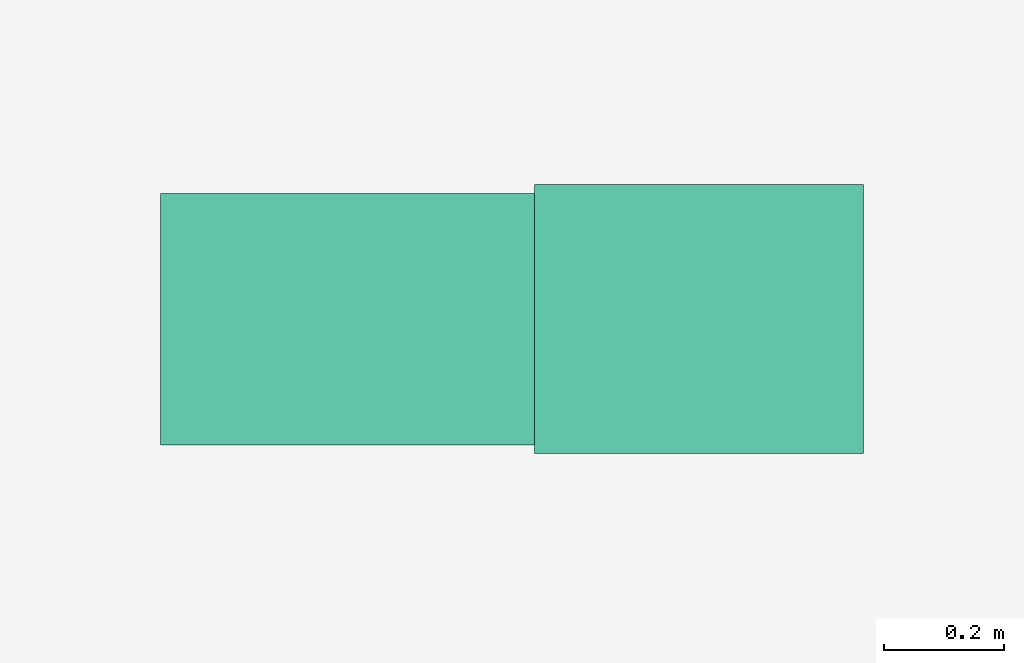
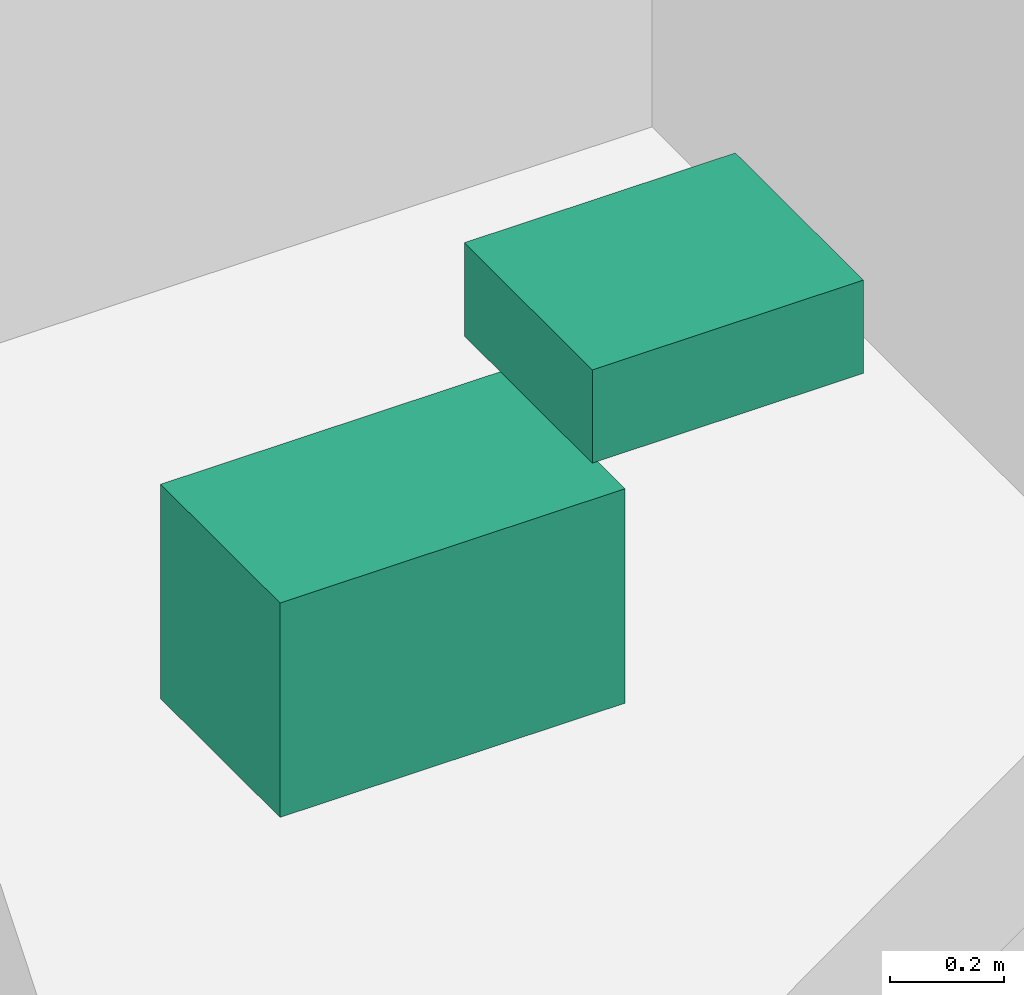
# One storey, part 37 of 37: 2 sanitary terminals.
"""IFC4 building model written with IfcOpenShell, lengths in metres."""

from ifc_helpers import new_model, si_unit, direction, frame, origin, origin_2d, place, context, subcontext, project, spatial, rectangle, extrude, material, type_object, element, save


model = new_model("IFC4")

# Units and contexts
model_context = context("Model", 3, precision=1e-05, world=origin(), true_north=direction((0.0, 1.0)))
body_context = subcontext(model_context, "Body", "Model", "MODEL_VIEW")
ifc_project = project(units=[si_unit("LENGTHUNIT", "METRE"), si_unit("AREAUNIT", "SQUARE_METRE"), si_unit("VOLUMEUNIT", "CUBIC_METRE"), si_unit("PLANEANGLEUNIT", "RADIAN"), si_unit("MASSUNIT", "GRAM", prefix="KILO")], contexts=[model_context])

# Site, building, storey
site_placement = place(None, origin())
site = spatial("IfcSite", under=ifc_project, at=site_placement, CompositionType="ELEMENT")
building_placement = place(site_placement, origin())
building = spatial("IfcBuilding", under=site, at=building_placement, Name="Surkhivell Harbour Commons", CompositionType="ELEMENT")
storey_placement = place(building_placement, frame((0.0, 0.0, 18.0)))
storey = spatial("IfcBuildingStorey", under=building, at=storey_placement, Name="L04", CompositionType="ELEMENT", Elevation=18.0)

# Sanitary terminals
ifc_material_1 = material(Name="Vitreous china washbasin", Category="other")
sanitary_terminal_type_1 = type_object("IfcSanitaryTerminalType", Name="SAN-BSN", PredefinedType="WASHHANDBASIN", material=ifc_material_1)
sanitary_terminal_1_placement = place(storey_placement, frame((1.89990234375, 2.89990234375, 0.72021484375), z_axis=(0.0, 0.0, 1.0), x_axis=(1.0, 0.0, 0.0)))
element("IfcSanitaryTerminal", 1, at=sanitary_terminal_1_placement, inside=storey, type_object=sanitary_terminal_type_1, Name="L04 Core Accessible WC Washbasin", PredefinedType="WASHHANDBASIN", context=body_context, shape_type="SweptSolid", body=[
    extrude(rectangle(XDim=0.550048828125, YDim=0.449951171875, at=origin_2d()), origin(), (0.0, 0.0, 1.0), 0.199951171875),
])
ifc_material_2 = material(Name="Vitreous china sanitaryware", Category="other")
sanitary_terminal_type_2 = type_object("IfcSanitaryTerminalType", Name="SAN-WC-ACC", PredefinedType="TOILETPAN", material=ifc_material_2)
sanitary_terminal_2_placement = place(storey_placement, frame((1.35009765625, 2.89990234375, 0.169921875), z_axis=(0.0, 0.0, 1.0), x_axis=(1.0, 0.0, 0.0)))
element("IfcSanitaryTerminal", 2, at=sanitary_terminal_2_placement, inside=storey, type_object=sanitary_terminal_type_2, Name="L04 Core Accessible WC", PredefinedType="TOILETPAN", context=body_context, shape_type="SweptSolid", body=[
    extrude(rectangle(XDim=0.699951171875, YDim=0.419921875, at=origin_2d()), origin(), (0.0, 0.0, 1.0), 0.4599609375),
])

save(model, "model.ifc")
